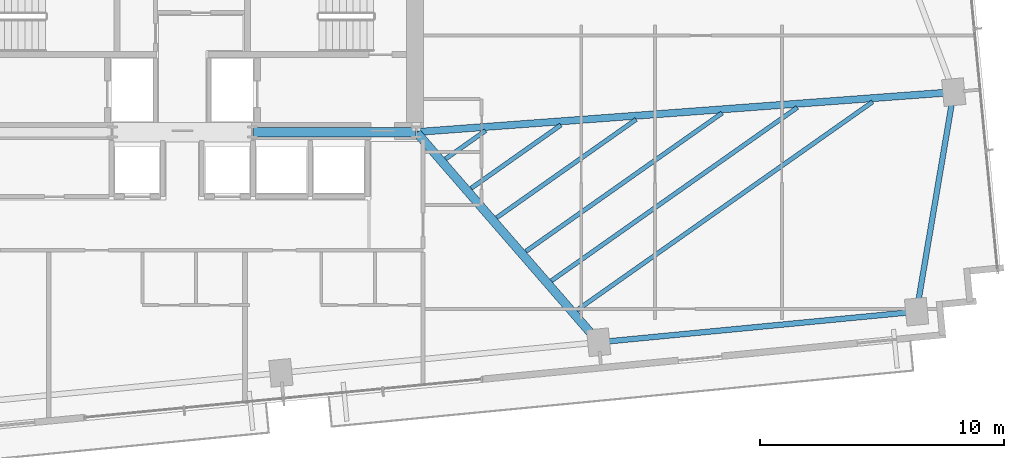
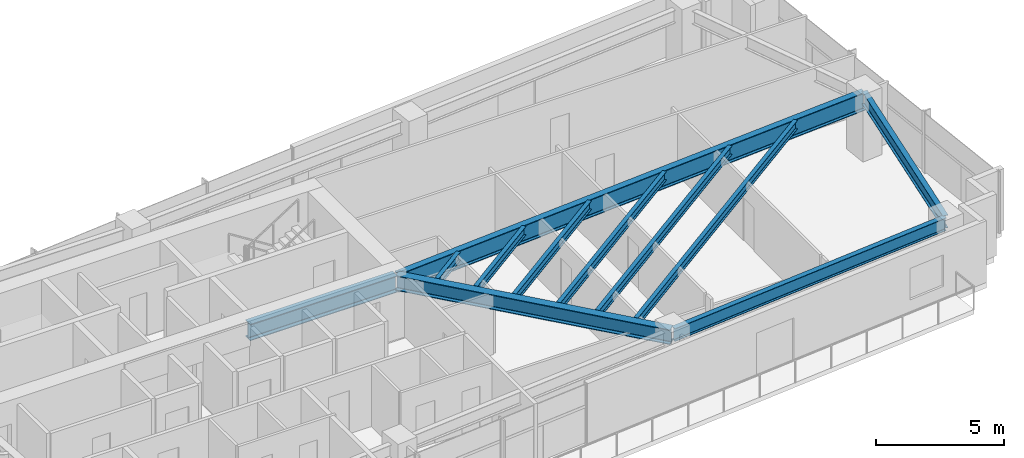
# One storey, part 13 of 25: 11 beams.
"""IFC4 building model written with IfcOpenShell, lengths in metres."""

from ifc_helpers import new_model, si_unit, direction, frame, origin, origin_2d, place, context, subcontext, project, spatial, i_section, extrude, source, transform, mapped, material, material_profile, profile_set, type_object, type_shapes, element, save


model = new_model("IFC4")

# Units and contexts
model_context = context("Model", 3, precision=1e-05, world=origin(), true_north=direction((0.0, 1.0)))
body_context = subcontext(model_context, "Body", "Model", "MODEL_VIEW")
ifc_project = project(units=[si_unit("LENGTHUNIT", "METRE"), si_unit("AREAUNIT", "SQUARE_METRE"), si_unit("VOLUMEUNIT", "CUBIC_METRE"), si_unit("PLANEANGLEUNIT", "RADIAN"), si_unit("MASSUNIT", "GRAM", prefix="KILO")], contexts=[model_context])

# Site, building, storey
site_placement = place(None, origin())
site = spatial("IfcSite", under=ifc_project, at=site_placement, CompositionType="ELEMENT")
building_placement = place(site_placement, origin())
building = spatial("IfcBuilding", under=site, at=building_placement, Name="Astriad Promenade Condominiums", CompositionType="ELEMENT")
storey_placement = place(building_placement, frame((0.0, 0.0, 103.39990234375)))
storey = spatial("IfcBuildingStorey", under=building, at=storey_placement, Name="L29", CompositionType="ELEMENT", Elevation=103.39990234375)

# Beams
ifc_material = material(Name="Steel ASTM A992 Grade 50", Category="steel")
ifc_material_profile_1 = material_profile(ifc_material, i_section(OverallWidth=0.3837890625, OverallDepth=0.785888671875, WebThickness=0.019775390625, FlangeThickness=0.033447265625, FilletRadius=0.021484375, at=origin_2d()), Name="W30X211")
ifc_profile_set_1 = profile_set([ifc_material_profile_1], Name="Steel ASTM A992 Grade 50")
beam_type_1 = type_object("IfcBeamType", Name="STEEL FLOOR GIRDER W30X211", PredefinedType="BEAM", material=ifc_profile_set_1)
shared_shape_1 = source(origin(), body_context, "Body", "SweptSolid", [
    extrude(i_section(OverallWidth=0.3837890625, OverallDepth=0.785888671875, WebThickness=0.019775390625, FlangeThickness=0.033447265625, FilletRadius=0.021484375, at=origin_2d()), origin(), (0.0, 0.0, 1.0), 6.64013671875),
])
type_shapes(beam_type_1, [shared_shape_1])
beam_1_placement = place(storey_placement, frame((38.919921875, 17.39990234375, 2.547119140625), z_axis=(1.0, 0.0, 0.0), x_axis=(0.0, 1.0, 0.0)))
element("IfcBeam", 1, at=beam_1_placement, inside=storey, type_object=beam_type_1, Name="Core Ring Beam CG-S3-L29", PredefinedType="BEAM", context=body_context, shape_type="MappedRepresentation", body=[
    mapped(shared_shape_1, transform((0.0, 0.0, 0.0), scale=1.0)),
])
ifc_material_profile_2 = material_profile(ifc_material, i_section(OverallWidth=0.22900390625, OverallDepth=0.612060546875, WebThickness=0.011962890625, FlangeThickness=0.01953125, FilletRadius=0.017822265625, at=origin_2d()), Name="W24X84")
ifc_profile_set_2 = profile_set([ifc_material_profile_2], Name="Steel ASTM A992 Grade 50")
beam_type_2 = type_object("IfcBeamType", Name="STEEL SPANDREL BEAM W24X84", PredefinedType="SPANDREL", material=ifc_profile_set_2)
shared_shape_2 = source(origin(), body_context, "Body", "SweptSolid", [
    extrude(i_section(OverallWidth=0.22900390625, OverallDepth=0.612060546875, WebThickness=0.011962890625, FlangeThickness=0.01953125, FilletRadius=0.017822265625, at=origin_2d()), origin(), (0.0, 0.0, 1.0), 13.020263671875),
])
beam_2_placement = place(storey_placement, frame((53.124755859375, 8.780029296875, 2.634033203125), z_axis=(0.995395311238, 0.095854965264, 0.0), x_axis=(-0.095854965264, 0.995395311238, 0.0)))
element("IfcBeam", 2, at=beam_2_placement, inside=storey, type_object=beam_type_2, Name="Perimeter Spandrel Beam SP-S4-L29", PredefinedType="SPANDREL", context=body_context, shape_type="MappedRepresentation", body=[
    mapped(shared_shape_2, transform((0.0, 0.0, 0.0), scale=1.0)),
])
shared_shape_3 = source(origin(), body_context, "Body", "SweptSolid", [
    extrude(i_section(OverallWidth=0.22900390625, OverallDepth=0.612060546875, WebThickness=0.011962890625, FlangeThickness=0.01953125, FilletRadius=0.017822265625, at=origin_2d()), origin(), (0.0, 0.0, 1.0), 9.055419921875),
])
type_shapes(beam_type_2, [shared_shape_2, shared_shape_3])
beam_3_placement = place(storey_placement, frame((66.13134765625, 10.0712890625, 2.634033203125), z_axis=(0.166776851291, 0.98599466625, 0.0), x_axis=(-0.98599466625, 0.166776851291, 0.0)))
element("IfcBeam", 3, at=beam_3_placement, inside=storey, type_object=beam_type_2, Name="Perimeter Spandrel Beam SP-E1-L29", PredefinedType="SPANDREL", context=body_context, shape_type="MappedRepresentation", body=[
    mapped(shared_shape_3, transform((0.0, 0.0, 0.0), scale=1.0)),
])
ifc_material_profile_3 = material_profile(ifc_material, i_section(OverallWidth=0.35791015625, OverallDepth=0.706298828125, WebThickness=0.018310546875, FlangeThickness=0.0302734375, FilletRadius=0.020263671875, at=origin_2d()), Name="W27X178")
ifc_profile_set_3 = profile_set([ifc_material_profile_3], Name="Steel ASTM A992 Grade 50")
beam_type_3 = type_object("IfcBeamType", Name="STEEL FLOOR GIRDER W27X178", PredefinedType="BEAM", material=ifc_profile_set_3)
shared_shape_4 = source(origin(), body_context, "Body", "SweptSolid", [
    extrude(i_section(OverallWidth=0.35791015625, OverallDepth=0.706298828125, WebThickness=0.018310546875, FlangeThickness=0.0302734375, FilletRadius=0.020263671875, at=origin_2d()), origin(), (0.0, 0.0, 1.0), 11.339111328125),
])
type_shapes(beam_type_3, [shared_shape_4])
beam_4_placement = place(storey_placement, frame((53.058837890625, 8.806396484375, 2.5869140625), z_axis=(-0.65548120109, 0.755211490258, 0.0), x_axis=(-0.755211490258, -0.65548120109, 0.0)))
element("IfcBeam", 4, at=beam_4_placement, inside=storey, type_object=beam_type_3, Name="Primary Floor Girder PG-E2-L29", PredefinedType="BEAM", context=body_context, shape_type="MappedRepresentation", body=[
    mapped(shared_shape_4, transform((0.0, 0.0, 0.0), scale=1.0)),
])
ifc_material_profile_4 = material_profile(ifc_material, i_section(OverallWidth=0.2919921875, OverallDepth=0.85888671875, WebThickness=0.01708984375, FlangeThickness=0.031005859375, FilletRadius=0.02294921875, at=origin_2d()), Name="W33X169")
ifc_profile_set_4 = profile_set([ifc_material_profile_4], Name="Steel ASTM A992 Grade 50")
beam_type_4 = type_object("IfcBeamType", Name="STEEL PRIMARY GIRDER W33X169", PredefinedType="BEAM", material=ifc_profile_set_4)
shared_shape_5 = source(origin(), body_context, "Body", "SweptSolid", [
    extrude(i_section(OverallWidth=0.2919921875, OverallDepth=0.85888671875, WebThickness=0.01708984375, FlangeThickness=0.031005859375, FilletRadius=0.02294921875, at=origin_2d()), origin(), (0.0, 0.0, 1.0), 22.029052734375),
])
type_shapes(beam_type_4, [shared_shape_5])
beam_5_placement = place(storey_placement, frame((67.6083984375, 19.036376953125, 2.510498046875), z_axis=(-0.99724763887, -0.074142745897, 0.0), x_axis=(0.074142745897, -0.99724763887, 0.0)))
element("IfcBeam", 5, at=beam_5_placement, inside=storey, type_object=beam_type_4, Name="Primary Floor Girder PG-EM-L29", PredefinedType="BEAM", context=body_context, shape_type="MappedRepresentation", body=[
    mapped(shared_shape_5, transform((0.0, 0.0, 0.0), scale=1.0)),
])
ifc_material_profile_5 = material_profile(ifc_material, i_section(OverallWidth=0.180908203125, OverallDepth=0.417236328125, WebThickness=0.010986328125, FlangeThickness=0.018310546875, FilletRadius=0.013916015625, at=origin_2d()), Name="W16X57")
ifc_profile_set_5 = profile_set([ifc_material_profile_5], Name="Steel ASTM A992 Grade 50")
beam_type_5 = type_object("IfcBeamType", Name="STEEL FLOOR JOIST W16X57", PredefinedType="JOIST", material=ifc_profile_set_5)
shared_shape_6 = source(origin(), body_context, "Body", "SweptSolid", [
    extrude(i_section(OverallWidth=0.180908203125, OverallDepth=0.417236328125, WebThickness=0.010986328125, FlangeThickness=0.018310546875, FilletRadius=0.013916015625, at=origin_2d()), origin(), (0.0, 0.0, 1.0), 14.838134765625),
])
beam_6_placement = place(storey_placement, frame((52.192138671875, 10.093017578125, 2.7314453125), z_axis=(0.817419044294, 0.576043493171, 0.0), x_axis=(-0.576043493171, 0.817419044294, 0.0)))
element("IfcBeam", 6, at=beam_6_placement, inside=storey, type_object=beam_type_5, Name="Secondary Composite Floor Joist JE1-1-L29", PredefinedType="JOIST", context=body_context, shape_type="MappedRepresentation", body=[
    mapped(shared_shape_6, transform((0.0, 0.0, 0.0), scale=1.0)),
])
shared_shape_7 = source(origin(), body_context, "Body", "SweptSolid", [
    extrude(i_section(OverallWidth=0.180908203125, OverallDepth=0.417236328125, WebThickness=0.010986328125, FlangeThickness=0.018310546875, FilletRadius=0.013916015625, at=origin_2d()), origin(), (0.0, 0.0, 1.0), 12.34375),
])
beam_7_placement = place(storey_placement, frame((51.144287109375, 11.30029296875, 2.7314453125), z_axis=(0.817418723738, 0.576043948048, 0.0), x_axis=(-0.576043948048, 0.817418723738, 0.0)))
element("IfcBeam", 7, at=beam_7_placement, inside=storey, type_object=beam_type_5, Name="Secondary Composite Floor Joist JE1-2-L29", PredefinedType="JOIST", context=body_context, shape_type="MappedRepresentation", body=[
    mapped(shared_shape_7, transform((0.0, 0.0, 0.0), scale=1.0)),
])
shared_shape_8 = source(origin(), body_context, "Body", "SweptSolid", [
    extrude(i_section(OverallWidth=0.180908203125, OverallDepth=0.417236328125, WebThickness=0.010986328125, FlangeThickness=0.018310546875, FilletRadius=0.013916015625, at=origin_2d()), origin(), (0.0, 0.0, 1.0), 9.849609375),
])
beam_8_placement = place(storey_placement, frame((50.096435546875, 12.507568359375, 2.7314453125), z_axis=(0.817418240833, 0.5760446333, 0.0), x_axis=(-0.5760446333, 0.817418240833, 0.0)))
element("IfcBeam", 8, at=beam_8_placement, inside=storey, type_object=beam_type_5, Name="Secondary Composite Floor Joist JE1-3-L29", PredefinedType="JOIST", context=body_context, shape_type="MappedRepresentation", body=[
    mapped(shared_shape_8, transform((0.0, 0.0, 0.0), scale=1.0)),
])
shared_shape_9 = source(origin(), body_context, "Body", "SweptSolid", [
    extrude(i_section(OverallWidth=0.180908203125, OverallDepth=0.417236328125, WebThickness=0.010986328125, FlangeThickness=0.018310546875, FilletRadius=0.013916015625, at=origin_2d()), origin(), (0.0, 0.0, 1.0), 6.9990234375),
])
beam_9_placement = place(storey_placement, frame((48.898681640625, 13.88720703125, 2.7314453125), z_axis=(0.81742196028, 0.576039355298, 0.0), x_axis=(-0.576039355298, 0.81742196028, 0.0)))
element("IfcBeam", 9, at=beam_9_placement, inside=storey, type_object=beam_type_5, Name="Secondary Composite Floor Joist JE1-4-L29", PredefinedType="JOIST", context=body_context, shape_type="MappedRepresentation", body=[
    mapped(shared_shape_9, transform((0.0, 0.0, 0.0), scale=1.0)),
])
shared_shape_10 = source(origin(), body_context, "Body", "SweptSolid", [
    extrude(i_section(OverallWidth=0.180908203125, OverallDepth=0.417236328125, WebThickness=0.010986328125, FlangeThickness=0.018310546875, FilletRadius=0.013916015625, at=origin_2d()), origin(), (0.0, 0.0, 1.0), 4.504638671875),
])
beam_10_placement = place(storey_placement, frame((47.850830078125, 15.0947265625, 2.7314453125), z_axis=(0.817448215019, 0.576002097012, 0.0), x_axis=(-0.576002097012, 0.817448215019, 0.0)))
element("IfcBeam", 10, at=beam_10_placement, inside=storey, type_object=beam_type_5, Name="Secondary Composite Floor Joist JE1-5-L29", PredefinedType="JOIST", context=body_context, shape_type="MappedRepresentation", body=[
    mapped(shared_shape_10, transform((0.0, 0.0, 0.0), scale=1.0)),
])
shared_shape_11 = source(origin(), body_context, "Body", "SweptSolid", [
    extrude(i_section(OverallWidth=0.180908203125, OverallDepth=0.417236328125, WebThickness=0.010986328125, FlangeThickness=0.018310546875, FilletRadius=0.013916015625, at=origin_2d()), origin(), (0.0, 0.0, 1.0), 2.01025390625),
])
type_shapes(beam_type_5, [shared_shape_6, shared_shape_7, shared_shape_8, shared_shape_9, shared_shape_10, shared_shape_11])
beam_11_placement = place(storey_placement, frame((46.802978515625, 16.302001953125, 2.7314453125), z_axis=(0.8174421453, 0.576010710913, 0.0), x_axis=(-0.576010710913, 0.8174421453, 0.0)))
element("IfcBeam", 11, at=beam_11_placement, inside=storey, type_object=beam_type_5, Name="Secondary Composite Floor Joist JE1-6-L29", PredefinedType="JOIST", context=body_context, shape_type="MappedRepresentation", body=[
    mapped(shared_shape_11, transform((0.0, 0.0, 0.0), scale=1.0)),
])

save(model, "model.ifc")
